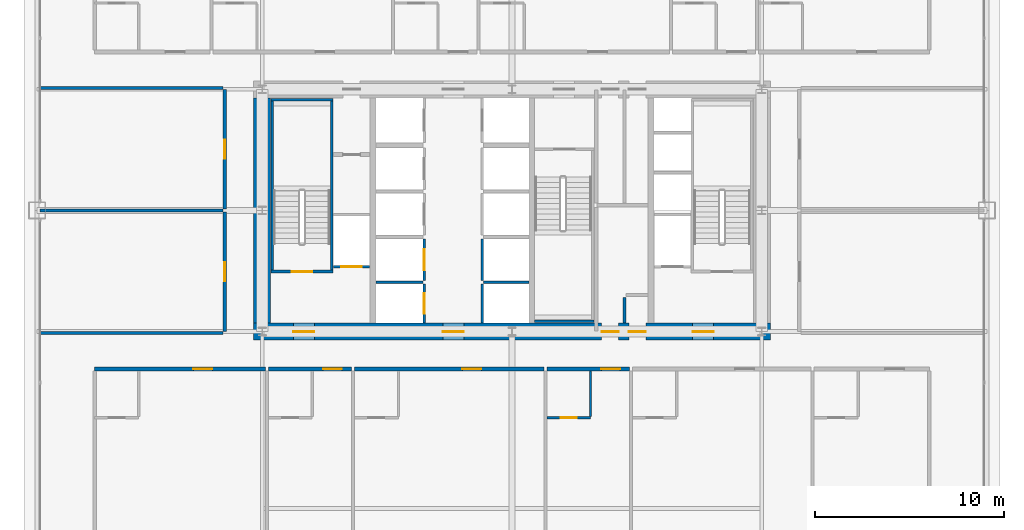
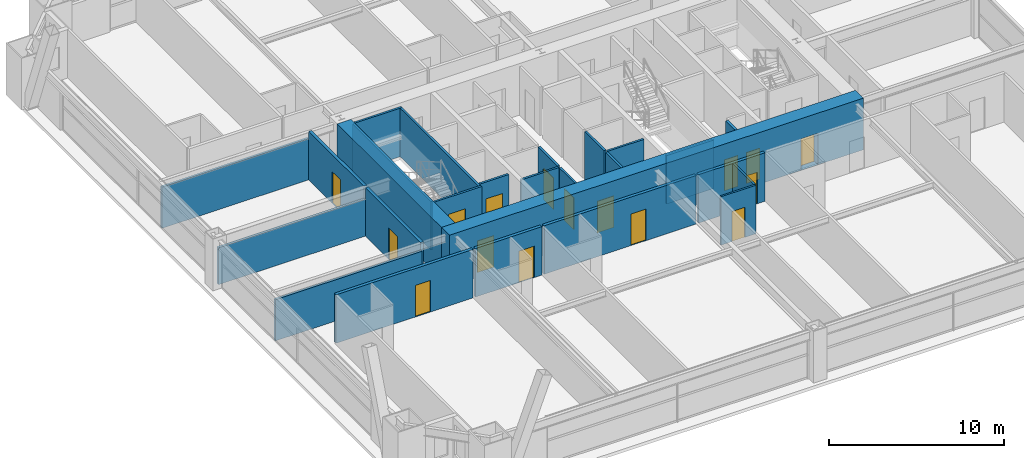
# One storey, part 39 of 43: 26 walls, 16 doors, 16 openings.
"""IFC4 building model written with IfcOpenShell, lengths in metres."""

from ifc_helpers import new_model, si_unit, direction, frame, frame_2d, origin, place, context, subcontext, project, spatial, rectangle, extrude, source, transform, mapped, material, layer, layer_set, type_object, element, fill, save


model = new_model("IFC4")

# Units and contexts
model_context = context("Model", 3, precision=1e-05, world=origin(), true_north=direction((0.0, 1.0)))
body_context = subcontext(model_context, "Body", "Model", "MODEL_VIEW")
ifc_project = project(units=[si_unit("LENGTHUNIT", "METRE"), si_unit("AREAUNIT", "SQUARE_METRE"), si_unit("VOLUMEUNIT", "CUBIC_METRE"), si_unit("PLANEANGLEUNIT", "RADIAN"), si_unit("MASSUNIT", "GRAM", prefix="KILO"), si_unit("THERMODYNAMICTEMPERATUREUNIT", "KELVIN"), si_unit("POWERUNIT", "WATT")], contexts=[model_context])

# Site, building, storey
site_placement = place(None, origin())
site = spatial("IfcSite", under=ifc_project, at=site_placement, CompositionType="ELEMENT")
building_placement = place(site_placement, origin())
building = spatial("IfcBuilding", under=site, at=building_placement, Name="Yuzanri Waterfront Tower", CompositionType="ELEMENT")
storey_placement = place(building_placement, frame((0.0, 0.0, 74.800048828125)))
storey = spatial("IfcBuildingStorey", under=building, at=storey_placement, Name="L19", CompositionType="ELEMENT", Elevation=74.800048828125)

# Wall, opening, door
ifc_material_1 = material(Name="Moisture-Resistant Gypsum Stud Wall", Category="gypsum")
ifc_layer_1 = layer(ifc_material_1, 0.1201171875)
ifc_layer_set_1 = layer_set([ifc_layer_1], Name="Moisture-Resistant Gypsum Stud Wall")
wall_type_1 = type_object("IfcWallType", Name="Bathroom and Kitchen Wet Partition 120", PredefinedType="PARTITIONING", material=ifc_layer_set_1)
wall_1_placement = place(storey_placement, frame((38.844970703125, 14.840087890625, 0.0), z_axis=(0.0, 0.0, 1.0), x_axis=(1.0, 0.0, 0.0)))
wall_1 = element("IfcWall", 1, at=wall_1_placement, inside=storey, type_object=wall_type_1, Name="L19 Partition UW-L19-S4-BS", PredefinedType="PARTITIONING", context=body_context, shape_type="SweptSolid", body=[
    extrude(rectangle(XDim=2.299072265625, YDim=0.1201171875, at=frame_2d((1.1494140625, 0.0))), origin(), (0.0, 0.0, 1.0), 3.3798828125),
])
opening_1_placement = place(wall_1_placement, frame((0.724609375, 0.0, 0.0)))
opening_1 = element("IfcOpeningElement", 2, at=opening_1_placement, cuts=wall_1, Name="Opening ID-0850", PredefinedType="OPENING", context=body_context, shape_type="SweptSolid", body=[
    extrude(rectangle(XDim=0.85009765625, YDim=2.10009765625, at=frame_2d((0.425048828125, 1.050048828125))), frame((0.0, 0.074951171875, 0.0), z_axis=(0.0, -1.0, 0.0), x_axis=(1.0, 0.0, 0.0)), (0.0, 0.0, 1.0), 0.14990234375),
])
ifc_material_2 = material(Name="Moisture-Resistant Lacquered Timber", Category="wood")
door_type_1 = type_object("IfcDoorType", Name="En-Suite Bathroom and Kitchen Swing Door 850x2100", OperationType="NOTDEFINED", PredefinedType="DOOR", material=ifc_material_2)
shared_shape_1 = source(origin(), body_context, "Body", "SweptSolid", [
    extrude(rectangle(XDim=0.85009765625, YDim=2.10009765625, at=frame_2d((0.425048828125, 1.050048828125))), frame((0.0, 0.02490234375, 0.0), z_axis=(0.0, -1.0, 0.0), x_axis=(1.0, 0.0, 0.0)), (0.0, 0.0, 1.0), 0.050048828125),
])
door_1_placement = place(opening_1_placement, origin())
door_1 = element("IfcDoor", 3, at=door_1_placement, inside=storey, type_object=door_type_1, Name="L19 Guest En-Suite Door", OperationType="SINGLE_SWING_LEFT", OverallHeight=2.10009765625, OverallWidth=0.85009765625, PredefinedType="DOOR", context=body_context, shape_type="MappedRepresentation", body=[
    mapped(shared_shape_1, transform((0.0, 0.0, 0.0), scale=1.0)),
])
fill(opening_1, door_1)

# Wall, openings, doors
ifc_material_3 = material(Name="Concrete C60", Category="concrete")
ifc_layer_2 = layer(ifc_material_3, 0.89990234375)
ifc_layer_set_2 = layer_set([ifc_layer_2], Name="Concrete C60")
wall_type_2 = type_object("IfcWallType", Name="Concrete C60 Lower Zone Core Shear Wall 900", PredefinedType="SHEAR", material=ifc_layer_set_2)
wall_2_placement = place(storey_placement, frame((23.35009765625, 19.39990234375, 0.0), z_axis=(0.0, 0.0, 1.0), x_axis=(1.0, 0.0, 0.0)))
wall_2 = element("IfcWall", 4, at=wall_2_placement, inside=storey, type_object=wall_type_2, Name="L19 Core South Shear Wall", PredefinedType="SHEAR", context=body_context, shape_type="SweptSolid", body=[
    extrude(rectangle(XDim=27.2998046875, YDim=0.89990234375, at=frame_2d((13.64990234375, 0.0))), origin(), (0.0, 0.0, 1.0), 3.599853515625),
])
opening_2_placement = place(wall_2_placement, frame((2.10009765625, 0.0, 0.0)))
opening_2 = element("IfcOpeningElement", 5, at=opening_2_placement, cuts=wall_2, Name="Opening FD-1100", PredefinedType="OPENING", context=body_context, shape_type="SweptSolid", body=[
    extrude(rectangle(XDim=1.10009765625, YDim=2.199951171875, at=frame_2d((0.550048828125, 1.10009765625))), frame((0.0, 0.46484375, 0.0), z_axis=(0.0, -1.0, 0.0), x_axis=(1.0, 0.0, 0.0)), (0.0, 0.0, 1.0), 0.9296875),
])
opening_3_placement = place(wall_2_placement, frame((10.0, 0.0, 0.0)))
opening_3 = element("IfcOpeningElement", 6, at=opening_3_placement, cuts=wall_2, Name="Opening FD-1100", PredefinedType="OPENING", context=body_context, shape_type="SweptSolid", body=[
    extrude(rectangle(XDim=1.10009765625, YDim=2.199951171875, at=frame_2d((0.550048828125, 1.10009765625))), frame((0.0, 0.46484375, 0.0), z_axis=(0.0, -1.0, 0.0), x_axis=(1.0, 0.0, 0.0)), (0.0, 0.0, 1.0), 0.9296875),
])
opening_4_placement = place(wall_2_placement, frame((23.199951171875, 0.0, 0.0)))
opening_4 = element("IfcOpeningElement", 7, at=opening_4_placement, cuts=wall_2, Name="Opening FD-1100", PredefinedType="OPENING", context=body_context, shape_type="SweptSolid", body=[
    extrude(rectangle(XDim=1.10009765625, YDim=2.199951171875, at=frame_2d((0.550048828125, 1.10009765625))), frame((0.0, 0.46484375, 0.0), z_axis=(0.0, -1.0, 0.0), x_axis=(1.0, 0.0, 0.0)), (0.0, 0.0, 1.0), 0.9296875),
])
opening_5_placement = place(wall_2_placement, frame((19.820068359375, 0.0, 0.0)))
opening_5 = element("IfcOpeningElement", 8, at=opening_5_placement, cuts=wall_2, Name="Opening FD-0900", PredefinedType="OPENING", context=body_context, shape_type="SweptSolid", body=[
    extrude(rectangle(XDim=0.89990234375, YDim=2.14990234375, at=frame_2d((0.449951171875, 1.074951171875))), frame((0.0, 0.46484375, 0.0), z_axis=(0.0, -1.0, 0.0), x_axis=(1.0, 0.0, 0.0)), (0.0, 0.0, 1.0), 0.9296875),
])
opening_6_placement = place(wall_2_placement, frame((18.3798828125, 0.0, 0.0)))
opening_6 = element("IfcOpeningElement", 9, at=opening_6_placement, cuts=wall_2, Name="Opening FD-0900", PredefinedType="OPENING", context=body_context, shape_type="SweptSolid", body=[
    extrude(rectangle(XDim=0.89990234375, YDim=2.14990234375, at=frame_2d((0.449951171875, 1.074951171875))), frame((0.0, 0.46484375, 0.0), z_axis=(0.0, -1.0, 0.0), x_axis=(1.0, 0.0, 0.0)), (0.0, 0.0, 1.0), 0.9296875),
])
ifc_material_4 = material(Name="Painted Galvanized Fire Steel", Category="steel")
door_type_2 = type_object("IfcDoorType", Name="Smoke-Proof Stair and Lobby Fire Door 1100x2200", OperationType="NOTDEFINED", PredefinedType="DOOR", material=ifc_material_4)
shared_shape_2 = source(origin(), body_context, "Body", "SweptSolid", [
    extrude(rectangle(XDim=1.10009765625, YDim=2.199951171875, at=frame_2d((0.550048828125, 1.10009765625))), frame((0.0, 0.02490234375, 0.0), z_axis=(0.0, -1.0, 0.0), x_axis=(1.0, 0.0, 0.0)), (0.0, 0.0, 1.0), 0.050048828125),
])
door_2_placement = place(opening_2_placement, origin())
door_2 = element("IfcDoor", 10, at=door_2_placement, inside=storey, type_object=door_type_2, Name="L19 West Firefighting Lobby Door", OperationType="SINGLE_SWING_LEFT", OverallHeight=2.199951171875, OverallWidth=1.10009765625, PredefinedType="DOOR", context=body_context, shape_type="MappedRepresentation", body=[
    mapped(shared_shape_2, transform((0.0, 0.0, 0.0), scale=1.0)),
])
fill(opening_2, door_2)
door_3_placement = place(opening_3_placement, origin())
door_3 = element("IfcDoor", 11, at=door_3_placement, inside=storey, type_object=door_type_2, Name="L19 Central Lift Lobby South Door", OperationType="SINGLE_SWING_RIGHT", OverallHeight=2.199951171875, OverallWidth=1.10009765625, PredefinedType="DOOR", context=body_context, shape_type="MappedRepresentation", body=[
    mapped(shared_shape_2, transform((0.0, 0.0, 0.0), scale=1.0)),
])
fill(opening_3, door_3)
door_4_placement = place(opening_4_placement, origin())
door_4 = element("IfcDoor", 12, at=door_4_placement, inside=storey, type_object=door_type_2, Name="L19 East Firefighting Lobby Door", OperationType="SINGLE_SWING_LEFT", OverallHeight=2.199951171875, OverallWidth=1.10009765625, PredefinedType="DOOR", context=body_context, shape_type="MappedRepresentation", body=[
    mapped(shared_shape_2, transform((0.0, 0.0, 0.0), scale=1.0)),
])
fill(opening_4, door_4)
ifc_material_5 = material(Name="Painted Galvanized Fire Steel", Category="steel")
door_type_3 = type_object("IfcDoorType", Name="Riser and Service Room Fire Door 900x2150", OperationType="NOTDEFINED", PredefinedType="DOOR", material=ifc_material_5)
shared_shape_3 = source(origin(), body_context, "Body", "SweptSolid", [
    extrude(rectangle(XDim=0.89990234375, YDim=2.14990234375, at=frame_2d((0.449951171875, 1.074951171875))), frame((0.0, 0.02490234375, 0.0), z_axis=(0.0, -1.0, 0.0), x_axis=(1.0, 0.0, 0.0)), (0.0, 0.0, 1.0), 0.050048828125),
])
door_5_placement = place(opening_5_placement, origin())
door_5 = element("IfcDoor", 13, at=door_5_placement, inside=storey, type_object=door_type_3, Name="L19 East Wet Riser Door", OperationType="SINGLE_SWING_RIGHT", OverallHeight=2.14990234375, OverallWidth=0.89990234375, PredefinedType="DOOR", context=body_context, shape_type="MappedRepresentation", body=[
    mapped(shared_shape_3, transform((0.0, 0.0, 0.0), scale=1.0)),
])
fill(opening_5, door_5)
door_6_placement = place(opening_6_placement, origin())
door_6 = element("IfcDoor", 14, at=door_6_placement, inside=storey, type_object=door_type_3, Name="L19 Housekeeping Room", OperationType="SINGLE_SWING_LEFT", OverallHeight=2.14990234375, OverallWidth=0.89990234375, PredefinedType="DOOR", context=body_context, shape_type="MappedRepresentation", body=[
    mapped(shared_shape_3, transform((0.0, 0.0, 0.0), scale=1.0)),
])
fill(opening_6, door_6)

# Wall, opening, door
ifc_material_6 = material(Name="Concrete C40", Category="concrete")
ifc_layer_3 = layer(ifc_material_6, 0.139892578125)
ifc_layer_set_3 = layer_set([ifc_layer_3], Name="Concrete C40")
wall_type_3 = type_object("IfcWallType", Name="Core Stair Liner and Hoistway Shaft Wall 140", PredefinedType="SOLIDWALL", material=ifc_layer_set_3)
wall_3_placement = place(storey_placement, frame((27.56005859375, 22.830078125, 0.0), z_axis=(0.0, 0.0, 1.0), x_axis=(1.0, 0.0, 0.0)))
wall_3 = element("IfcWall", 15, at=wall_3_placement, inside=storey, type_object=wall_type_3, Name="L19 Lift FL-01 Front Shaft Wall", PredefinedType="SOLIDWALL", context=body_context, shape_type="SweptSolid", body=[
    extrude(rectangle(XDim=1.919921875, YDim=0.139892578125, at=frame_2d((0.9599609375, 0.0))), origin(), (0.0, 0.0, 1.0), 3.3798828125),
])
opening_7_placement = place(wall_3_placement, frame((0.409912109375, 0.0, 0.0)))
opening_7 = element("IfcOpeningElement", 16, at=opening_7_placement, cuts=wall_3, Name="Opening LD-FL-01", PredefinedType="OPENING", context=body_context, shape_type="SweptSolid", body=[
    extrude(rectangle(XDim=1.10009765625, YDim=2.199951171875, at=frame_2d((0.550048828125, 1.10009765625))), frame((0.0, 0.0849609375, 0.0), z_axis=(0.0, -1.0, 0.0), x_axis=(1.0, 0.0, 0.0)), (0.0, 0.0, 1.0), 0.169677734375),
])
ifc_material_7 = material(Name="Brushed Bronze and Stainless Steel Cab", Category="steel")
door_type_4 = type_object("IfcDoorType", Name="Center-Parting Bronze Lift Landing Sliding Door 1100x2200", OperationType="NOTDEFINED", PredefinedType="DOOR", material=ifc_material_7)
shared_shape_4 = source(origin(), body_context, "Body", "SweptSolid", [
    extrude(rectangle(XDim=1.10009765625, YDim=2.199951171875, at=frame_2d((0.550048828125, 1.10009765625))), frame((0.0, 0.02490234375, 0.0), z_axis=(0.0, -1.0, 0.0), x_axis=(1.0, 0.0, 0.0)), (0.0, 0.0, 1.0), 0.050048828125),
])
door_7_placement = place(opening_7_placement, origin())
door_7 = element("IfcDoor", 17, at=door_7_placement, inside=storey, type_object=door_type_4, Name="L19 FL-01 Lift Landing Sliding Door", OperationType="SLIDING_TO_LEFT", OverallHeight=2.199951171875, OverallWidth=1.10009765625, PredefinedType="DOOR", context=body_context, shape_type="MappedRepresentation", body=[
    mapped(shared_shape_4, transform((0.0, 0.0, 0.0), scale=1.0)),
])
fill(opening_7, door_7)

wall_4_placement = place(storey_placement, frame((32.3701171875, 19.860107421875, 0.0), z_axis=(0.0, 0.0, 1.0), x_axis=(0.0, 1.0, 0.0)))
wall_4 = element("IfcWall", 18, at=wall_4_placement, inside=storey, type_object=wall_type_3, Name="L19 Lift PL-01 Front Shaft Wall", PredefinedType="SOLIDWALL", context=body_context, shape_type="SweptSolid", body=[
    extrude(rectangle(XDim=2.039794921875, YDim=0.139892578125, at=frame_2d((1.02001953125, 0.0))), origin(), (0.0, 0.0, 1.0), 3.3798828125),
])
opening_8_placement = place(wall_4_placement, frame((0.469970703125, 0.0, 0.0)))
opening_8 = element("IfcOpeningElement", 19, at=opening_8_placement, cuts=wall_4, Name="Opening LD-PL-01", PredefinedType="OPENING", context=body_context, shape_type="SweptSolid", body=[
    extrude(rectangle(XDim=1.10009765625, YDim=2.199951171875, at=frame_2d((0.550048828125, 1.10009765625))), frame((0.0, 0.0849609375, 0.0), z_axis=(0.0, -1.0, 0.0), x_axis=(1.0, 0.0, 0.0)), (0.0, 0.0, 1.0), 0.169677734375),
])
door_8_placement = place(opening_8_placement, origin())
door_8 = element("IfcDoor", 20, at=door_8_placement, inside=storey, type_object=door_type_4, Name="L19 PL-01 Lift Landing Sliding Door", OperationType="SLIDING_TO_LEFT", OverallHeight=2.199951171875, OverallWidth=1.10009765625, PredefinedType="DOOR", context=body_context, shape_type="MappedRepresentation", body=[
    mapped(shared_shape_4, transform((0.0, 0.0, 0.0), scale=1.0)),
])
fill(opening_8, door_8)

wall_5_placement = place(storey_placement, frame((32.3701171875, 22.10009765625, 0.0), z_axis=(0.0, 0.0, 1.0), x_axis=(0.0, 1.0, 0.0)))
wall_5 = element("IfcWall", 21, at=wall_5_placement, inside=storey, type_object=wall_type_3, Name="L19 Lift PL-02 Front Shaft Wall", PredefinedType="SOLIDWALL", context=body_context, shape_type="SweptSolid", body=[
    extrude(rectangle(XDim=2.199951171875, YDim=0.139892578125, at=frame_2d((1.10009765625, 0.0))), origin(), (0.0, 0.0, 1.0), 3.3798828125),
])
opening_9_placement = place(wall_5_placement, frame((0.550048828125, 0.0, 0.0)))
opening_9 = element("IfcOpeningElement", 22, at=opening_9_placement, cuts=wall_5, Name="Opening LD-PL-02", PredefinedType="OPENING", context=body_context, shape_type="SweptSolid", body=[
    extrude(rectangle(XDim=1.10009765625, YDim=2.199951171875, at=frame_2d((0.550048828125, 1.10009765625))), frame((0.0, 0.0849609375, 0.0), z_axis=(0.0, -1.0, 0.0), x_axis=(1.0, 0.0, 0.0)), (0.0, 0.0, 1.0), 0.169677734375),
])
door_9_placement = place(opening_9_placement, origin())
door_9 = element("IfcDoor", 23, at=door_9_placement, inside=storey, type_object=door_type_4, Name="L19 PL-02 Lift Landing Sliding Door", OperationType="SLIDING_TO_RIGHT", OverallHeight=2.199951171875, OverallWidth=1.10009765625, PredefinedType="DOOR", context=body_context, shape_type="MappedRepresentation", body=[
    mapped(shared_shape_4, transform((0.0, 0.0, 0.0), scale=1.0)),
])
fill(opening_9, door_9)

wall_6_placement = place(storey_placement, frame((24.260009765625, 22.570068359375, 0.0), z_axis=(0.0, 0.0, 1.0), x_axis=(1.0, 0.0, 0.0)))
wall_6 = element("IfcWall", 24, at=wall_6_placement, inside=storey, type_object=wall_type_3, Name="L19 Shaft Wall STW-L19-ST-01-S", PredefinedType="SOLIDWALL", context=body_context, shape_type="SweptSolid", body=[
    extrude(rectangle(XDim=3.280029296875, YDim=0.139892578125, at=frame_2d((1.64013671875, 0.0))), origin(), (0.0, 0.0, 1.0), 3.3798828125),
])
opening_10_placement = place(wall_6_placement, frame((1.090087890625, 0.0, 0.0)))
opening_10 = element("IfcOpeningElement", 25, at=opening_10_placement, cuts=wall_6, Name="Opening FD-1100", PredefinedType="OPENING", context=body_context, shape_type="SweptSolid", body=[
    extrude(rectangle(XDim=1.10009765625, YDim=2.199951171875, at=frame_2d((0.550048828125, 1.10009765625))), frame((0.0, 0.0849609375, 0.0), z_axis=(0.0, -1.0, 0.0), x_axis=(1.0, 0.0, 0.0)), (0.0, 0.0, 1.0), 0.169677734375),
])
door_10_placement = place(opening_10_placement, origin())
door_10 = element("IfcDoor", 26, at=door_10_placement, inside=storey, type_object=door_type_2, Name="L19 Stair ST-01 Fire Door", OperationType="SINGLE_SWING_RIGHT", OverallHeight=2.199951171875, OverallWidth=1.10009765625, PredefinedType="DOOR", context=body_context, shape_type="MappedRepresentation", body=[
    mapped(shared_shape_2, transform((0.0, 0.0, 0.0), scale=1.0)),
])
fill(opening_10, door_10)

ifc_material_8 = material(Name="Autoclaved Aerated Concrete Blockwork", Category="masonry")
ifc_layer_4 = layer(ifc_material_8, 0.199951171875)
ifc_layer_set_4 = layer_set([ifc_layer_4], Name="Autoclaved Aerated Concrete Blockwork")
wall_type_4 = type_object("IfcWallType", Name="Corridor and Unit Party Fire Wall 200", PredefinedType="PARTITIONING", material=ifc_layer_set_4)
wall_7_placement = place(storey_placement, frame((14.93994140625, 17.419921875, 0.0), z_axis=(0.0, 0.0, 1.0), x_axis=(1.0, 0.0, 0.0)))
wall_7 = element("IfcWall", 27, at=wall_7_placement, inside=storey, type_object=wall_type_4, Name="L19 Partition UW-L19-S1-CN", PredefinedType="PARTITIONING", context=body_context, shape_type="SweptSolid", body=[
    extrude(rectangle(XDim=9.0380859375, YDim=0.199951171875, at=frame_2d((4.51904296875, 0.0))), origin(), (0.0, 0.0, 1.0), 3.3798828125),
])
opening_11_placement = place(wall_7_placement, frame((5.22412109375, 0.0, 0.0)))
opening_11 = element("IfcOpeningElement", 28, at=opening_11_placement, cuts=wall_7, Name="Opening FD-1000", PredefinedType="OPENING", context=body_context, shape_type="SweptSolid", body=[
    extrude(rectangle(XDim=1.0, YDim=2.199951171875, at=frame_2d((0.5, 1.10009765625))), frame((0.0, 0.11474609375, 0.0), z_axis=(0.0, -1.0, 0.0), x_axis=(1.0, 0.0, 0.0)), (0.0, 0.0, 1.0), 0.229736328125),
])
ifc_material_9 = material(Name="Engineered Oak Fire-Rated Timber", Category="wood")
door_type_5 = type_object("IfcDoorType", Name="Guestroom and Apartment Entrance Fire Door 1000x2200", OperationType="NOTDEFINED", PredefinedType="DOOR", material=ifc_material_9)
shared_shape_5 = source(origin(), body_context, "Body", "SweptSolid", [
    extrude(rectangle(XDim=1.0, YDim=2.199951171875, at=frame_2d((0.5, 1.10009765625))), frame((0.0, 0.02490234375, 0.0), z_axis=(0.0, -1.0, 0.0), x_axis=(1.0, 0.0, 0.0)), (0.0, 0.0, 1.0), 0.050048828125),
])
door_11_placement = place(opening_11_placement, origin())
door_11 = element("IfcDoor", 29, at=door_11_placement, inside=storey, type_object=door_type_5, Name="L19 Junior Riverview Suite Entrance Door", OperationType="SINGLE_SWING_RIGHT", OverallHeight=2.199951171875, OverallWidth=1.0, PredefinedType="DOOR", context=body_context, shape_type="MappedRepresentation", body=[
    mapped(shared_shape_5, transform((0.0, 0.0, 0.0), scale=1.0)),
])
fill(opening_11, door_11)

wall_8_placement = place(storey_placement, frame((24.137939453125, 17.419921875, 0.0), z_axis=(0.0, 0.0, 1.0), x_axis=(1.0, 0.0, 0.0)))
wall_8 = element("IfcWall", 30, at=wall_8_placement, inside=storey, type_object=wall_type_4, Name="L19 Partition UW-L19-S2-CN", PredefinedType="PARTITIONING", context=body_context, shape_type="SweptSolid", body=[
    extrude(rectangle(XDim=4.3701171875, YDim=0.199951171875, at=frame_2d((2.18505859375, 0.0))), origin(), (0.0, 0.0, 1.0), 3.3798828125),
])
opening_12_placement = place(wall_8_placement, frame((2.875, 0.0, 0.0)))
opening_12 = element("IfcOpeningElement", 31, at=opening_12_placement, cuts=wall_8, Name="Opening FD-1000", PredefinedType="OPENING", context=body_context, shape_type="SweptSolid", body=[
    extrude(rectangle(XDim=1.0, YDim=2.199951171875, at=frame_2d((0.5, 1.10009765625))), frame((0.0, 0.11474609375, 0.0), z_axis=(0.0, -1.0, 0.0), x_axis=(1.0, 0.0, 0.0)), (0.0, 0.0, 1.0), 0.229736328125),
])
door_12_placement = place(opening_12_placement, origin())
door_12 = element("IfcDoor", 32, at=door_12_placement, inside=storey, type_object=door_type_5, Name="L19 Junior Riverview Suite Entrance Door", OperationType="SINGLE_SWING_RIGHT", OverallHeight=2.199951171875, OverallWidth=1.0, PredefinedType="DOOR", context=body_context, shape_type="MappedRepresentation", body=[
    mapped(shared_shape_5, transform((0.0, 0.0, 0.0), scale=1.0)),
])
fill(opening_12, door_12)

wall_9_placement = place(storey_placement, frame((28.66796875, 17.419921875, 0.0), z_axis=(0.0, 0.0, 1.0), x_axis=(1.0, 0.0, 0.0)))
wall_9 = element("IfcWall", 33, at=wall_9_placement, inside=storey, type_object=wall_type_4, Name="L19 Partition UW-L19-S3-CN", PredefinedType="PARTITIONING", context=body_context, shape_type="SweptSolid", body=[
    extrude(rectangle(XDim=10.01708984375, YDim=0.199951171875, at=frame_2d((5.008544921875, 0.0))), origin(), (0.0, 0.0, 1.0), 3.3798828125),
])
opening_13_placement = place(wall_9_placement, frame((5.714111328125, 0.0, 0.0)))
opening_13 = element("IfcOpeningElement", 34, at=opening_13_placement, cuts=wall_9, Name="Opening FD-1000", PredefinedType="OPENING", context=body_context, shape_type="SweptSolid", body=[
    extrude(rectangle(XDim=1.0, YDim=2.199951171875, at=frame_2d((0.5, 1.10009765625))), frame((0.0, 0.11474609375, 0.0), z_axis=(0.0, -1.0, 0.0), x_axis=(1.0, 0.0, 0.0)), (0.0, 0.0, 1.0), 0.229736328125),
])
door_13_placement = place(opening_13_placement, origin())
door_13 = element("IfcDoor", 35, at=door_13_placement, inside=storey, type_object=door_type_5, Name="L19 Junior Riverview Suite Entrance Door", OperationType="SINGLE_SWING_RIGHT", OverallHeight=2.199951171875, OverallWidth=1.0, PredefinedType="DOOR", context=body_context, shape_type="MappedRepresentation", body=[
    mapped(shared_shape_5, transform((0.0, 0.0, 0.0), scale=1.0)),
])
fill(opening_13, door_13)

wall_10_placement = place(storey_placement, frame((38.844970703125, 17.419921875, 0.0), z_axis=(0.0, 0.0, 1.0), x_axis=(1.0, 0.0, 0.0)))
wall_10 = element("IfcWall", 36, at=wall_10_placement, inside=storey, type_object=wall_type_4, Name="L19 Partition UW-L19-S4-CN", PredefinedType="PARTITIONING", context=body_context, shape_type="SweptSolid", body=[
    extrude(rectangle(XDim=4.369140625, YDim=0.199951171875, at=frame_2d((2.1845703125, 0.0))), origin(), (0.0, 0.0, 1.0), 3.3798828125),
])
opening_14_placement = place(wall_10_placement, frame((2.8740234375, 0.0, 0.0)))
opening_14 = element("IfcOpeningElement", 37, at=opening_14_placement, cuts=wall_10, Name="Opening FD-1000", PredefinedType="OPENING", context=body_context, shape_type="SweptSolid", body=[
    extrude(rectangle(XDim=1.0, YDim=2.199951171875, at=frame_2d((0.5, 1.10009765625))), frame((0.0, 0.11474609375, 0.0), z_axis=(0.0, -1.0, 0.0), x_axis=(1.0, 0.0, 0.0)), (0.0, 0.0, 1.0), 0.229736328125),
])
door_14_placement = place(opening_14_placement, origin())
door_14 = element("IfcDoor", 38, at=door_14_placement, inside=storey, type_object=door_type_5, Name="L19 Junior Riverview Suite Entrance Door", OperationType="SINGLE_SWING_RIGHT", OverallHeight=2.199951171875, OverallWidth=1.0, PredefinedType="DOOR", context=body_context, shape_type="MappedRepresentation", body=[
    mapped(shared_shape_5, transform((0.0, 0.0, 0.0), scale=1.0)),
])
fill(opening_14, door_14)

wall_11_placement = place(storey_placement, frame((21.820068359375, 19.409912109375, 0.0), z_axis=(0.0, 0.0, 1.0), x_axis=(0.0, 1.0, 0.0)))
wall_11 = element("IfcWall", 39, at=wall_11_placement, inside=storey, type_object=wall_type_4, Name="L19 Partition UW-L19-W1-CW", PredefinedType="PARTITIONING", context=body_context, shape_type="SweptSolid", body=[
    extrude(rectangle(XDim=6.31005859375, YDim=0.199951171875, at=frame_2d((3.155029296875, 0.0))), origin(), (0.0, 0.0, 1.0), 3.3798828125),
])
opening_15_placement = place(wall_11_placement, frame((2.655029296875, 0.0, 0.0)))
opening_15 = element("IfcOpeningElement", 40, at=opening_15_placement, cuts=wall_11, Name="Opening FD-1000", PredefinedType="OPENING", context=body_context, shape_type="SweptSolid", body=[
    extrude(rectangle(XDim=1.0, YDim=2.199951171875, at=frame_2d((0.5, 1.10009765625))), frame((0.0, 0.11474609375, 0.0), z_axis=(0.0, -1.0, 0.0), x_axis=(1.0, 0.0, 0.0)), (0.0, 0.0, 1.0), 0.229736328125),
])
door_15_placement = place(opening_15_placement, origin())
door_15 = element("IfcDoor", 41, at=door_15_placement, inside=storey, type_object=door_type_5, Name="L19 Tea Ceremony Restaurant Entrance Door", OperationType="SINGLE_SWING_RIGHT", OverallHeight=2.199951171875, OverallWidth=1.0, PredefinedType="DOOR", context=body_context, shape_type="MappedRepresentation", body=[
    mapped(shared_shape_5, transform((0.0, 0.0, 0.0), scale=1.0)),
])
fill(opening_15, door_15)

wall_12_placement = place(storey_placement, frame((21.820068359375, 25.8798828125, 0.0), z_axis=(0.0, 0.0, 1.0), x_axis=(0.0, 1.0, 0.0)))
wall_12 = element("IfcWall", 42, at=wall_12_placement, inside=storey, type_object=wall_type_4, Name="L19 Partition UW-L19-W2-CW", PredefinedType="PARTITIONING", context=body_context, shape_type="SweptSolid", body=[
    extrude(rectangle(XDim=6.31005859375, YDim=0.199951171875, at=frame_2d((3.155029296875, 0.0))), origin(), (0.0, 0.0, 1.0), 3.3798828125),
])
opening_16_placement = place(wall_12_placement, frame((2.655029296875, 0.0, 0.0)))
opening_16 = element("IfcOpeningElement", 43, at=opening_16_placement, cuts=wall_12, Name="Opening FD-1000", PredefinedType="OPENING", context=body_context, shape_type="SweptSolid", body=[
    extrude(rectangle(XDim=1.0, YDim=2.199951171875, at=frame_2d((0.5, 1.10009765625))), frame((0.0, 0.11474609375, 0.0), z_axis=(0.0, -1.0, 0.0), x_axis=(1.0, 0.0, 0.0)), (0.0, 0.0, 1.0), 0.229736328125),
])
door_16_placement = place(opening_16_placement, origin())
door_16 = element("IfcDoor", 44, at=door_16_placement, inside=storey, type_object=door_type_5, Name="L19 Specialty Dining Restaurant Entrance Door", OperationType="SINGLE_SWING_LEFT", OverallHeight=2.199951171875, OverallWidth=1.0, PredefinedType="DOOR", context=body_context, shape_type="MappedRepresentation", body=[
    mapped(shared_shape_5, transform((0.0, 0.0, 0.0), scale=1.0)),
])
fill(opening_16, door_16)

# Walls
shared_shape_6 = source(origin(), body_context, "Body", "SweptSolid", [
    extrude(rectangle(XDim=11.89990234375, YDim=0.89990234375, at=frame_2d((5.949951171875, 0.0))), origin(), (0.0, 0.0, 1.0), 3.599853515625),
])
wall_13_placement = place(storey_placement, frame((23.800048828125, 19.85009765625, 0.0), z_axis=(0.0, 0.0, 1.0), x_axis=(0.0, 1.0, 0.0)))
element("IfcWall", 45, at=wall_13_placement, inside=storey, type_object=wall_type_2, Name="L19 Core West Shear Wall", PredefinedType="SHEAR", context=body_context, shape_type="MappedRepresentation", body=[
    mapped(shared_shape_6, transform((0.0, 0.0, 0.0), scale=1.0)),
])
shared_shape_7 = source(origin(), body_context, "Body", "SweptSolid", [
    extrude(rectangle(XDim=2.5, YDim=0.139892578125, at=frame_2d((1.25, 0.0))), origin(), (0.0, 0.0, 1.0), 3.3798828125),
])
wall_14_placement = place(storey_placement, frame((29.800048828125, 22.0, 0.0), z_axis=(0.0, 0.0, 1.0), x_axis=(1.0, 0.0, 0.0)))
element("IfcWall", 46, at=wall_14_placement, inside=storey, type_object=wall_type_3, Name="L19 Lift PL-01 Divider Wall", PredefinedType="SOLIDWALL", context=body_context, shape_type="MappedRepresentation", body=[
    mapped(shared_shape_7, transform((0.0, 0.0, 0.0), scale=1.0)),
])
shared_shape_8 = source(origin(), body_context, "Body", "SweptSolid", [
    extrude(rectangle(XDim=2.039794921875, YDim=0.139892578125, at=frame_2d((1.02001953125, 0.0))), origin(), (0.0, 0.0, 1.0), 3.3798828125),
])
wall_15_placement = place(storey_placement, frame((35.429931640625, 19.860107421875, 0.0), z_axis=(0.0, 0.0, 1.0), x_axis=(0.0, 1.0, 0.0)))
element("IfcWall", 47, at=wall_15_placement, inside=storey, type_object=wall_type_3, Name="L19 Lift PL-05 Front Shaft Wall", PredefinedType="SOLIDWALL", context=body_context, shape_type="MappedRepresentation", body=[
    mapped(shared_shape_8, transform((0.0, 0.0, 0.0), scale=1.0)),
])
shared_shape_9 = source(origin(), body_context, "Body", "SweptSolid", [
    extrude(rectangle(XDim=2.39990234375, YDim=0.139892578125, at=frame_2d((1.199951171875, 0.0))), origin(), (0.0, 0.0, 1.0), 3.3798828125),
])
wall_16_placement = place(storey_placement, frame((35.5, 22.0, 0.0), z_axis=(0.0, 0.0, 1.0), x_axis=(1.0, 0.0, 0.0)))
element("IfcWall", 48, at=wall_16_placement, inside=storey, type_object=wall_type_3, Name="L19 Lift PL-05 Divider Wall", PredefinedType="SOLIDWALL", context=body_context, shape_type="MappedRepresentation", body=[
    mapped(shared_shape_9, transform((0.0, 0.0, 0.0), scale=1.0)),
])
shared_shape_10 = source(origin(), body_context, "Body", "SweptSolid", [
    extrude(rectangle(XDim=2.199951171875, YDim=0.139892578125, at=frame_2d((1.10009765625, 0.0))), origin(), (0.0, 0.0, 1.0), 3.3798828125),
])
wall_17_placement = place(storey_placement, frame((35.429931640625, 22.10009765625, 0.0), z_axis=(0.0, 0.0, 1.0), x_axis=(0.0, 1.0, 0.0)))
element("IfcWall", 49, at=wall_17_placement, inside=storey, type_object=wall_type_3, Name="L19 Lift PL-06 Front Shaft Wall", PredefinedType="SOLIDWALL", context=body_context, shape_type="MappedRepresentation", body=[
    mapped(shared_shape_10, transform((0.0, 0.0, 0.0), scale=1.0)),
])
shared_shape_11 = source(origin(), body_context, "Body", "SweptSolid", [
    extrude(rectangle(XDim=3.280029296875, YDim=0.139892578125, at=frame_2d((1.64013671875, 0.0))), origin(), (0.0, 0.0, 1.0), 3.3798828125),
])
wall_18_placement = place(storey_placement, frame((24.260009765625, 31.64990234375, 0.0), z_axis=(0.0, 0.0, 1.0), x_axis=(1.0, 0.0, 0.0)))
element("IfcWall", 50, at=wall_18_placement, inside=storey, type_object=wall_type_3, Name="L19 Stair ST-01 North Shaft Wall", PredefinedType="SOLIDWALL", context=body_context, shape_type="MappedRepresentation", body=[
    mapped(shared_shape_11, transform((0.0, 0.0, 0.0), scale=1.0)),
])
shared_shape_12 = source(origin(), body_context, "Body", "SweptSolid", [
    extrude(rectangle(XDim=8.940185546875, YDim=0.139892578125, at=frame_2d((4.47021484375, 0.0))), origin(), (0.0, 0.0, 1.0), 3.3798828125),
])
for number, where, z_axis, x_axis, name in (
    (51, (24.330078125, 22.639892578125, 0.0), (0.0, 0.0, 1.0), (0.0, 1.0, 0.0), "L19 Stair ST-01 West Shaft Wall"),
    (52, (27.469970703125, 22.639892578125, 0.0), (0.0, 0.0, 1.0), (0.0, 1.0, 0.0), "L19 Stair ST-01 East Shaft Wall"),
):
    element("IfcWall", number, at=place(storey_placement, frame(where, z_axis=z_axis, x_axis=x_axis)), inside=storey, type_object=wall_type_3, Name=name, PredefinedType="SOLIDWALL", context=body_context, shape_type="MappedRepresentation", body=[
        mapped(shared_shape_12, transform((0.0, 0.0, 0.0), scale=1.0)),
    ])
shared_shape_13 = source(origin(), body_context, "Body", "SweptSolid", [
    extrude(rectangle(XDim=3.14013671875, YDim=0.139892578125, at=frame_2d((1.570068359375, 0.0))), origin(), (0.0, 0.0, 1.0), 3.3798828125),
])
wall_19_placement = place(storey_placement, frame((38.199951171875, 19.949951171875, 0.0), z_axis=(0.0, 0.0, 1.0), x_axis=(1.0, 0.0, 0.0)))
element("IfcWall", 53, at=wall_19_placement, inside=storey, type_object=wall_type_3, Name="L19 Stair ST-03 South Shaft Wall", PredefinedType="SOLIDWALL", context=body_context, shape_type="MappedRepresentation", body=[
    mapped(shared_shape_13, transform((0.0, 0.0, 0.0), scale=1.0)),
])
ifc_material_10 = material(Name="Gypsum Fireboard Acoustic Stud Wall", Category="gypsum")
ifc_layer_5 = layer(ifc_material_10, 0.159912109375)
ifc_layer_set_5 = layer_set([ifc_layer_5], Name="Gypsum Fireboard Acoustic Stud Wall")
wall_type_5 = type_object("IfcWallType", Name="Acoustic Suite Demising Partition 160", PredefinedType="PARTITIONING", material=ifc_layer_set_5)
shared_shape_14 = source(origin(), body_context, "Body", "SweptSolid", [
    extrude(rectangle(XDim=1.33984375, YDim=0.159912109375, at=frame_2d((0.669921875, 0.0))), origin(), (0.0, 0.0, 1.0), 3.3798828125),
])
wall_20_placement = place(storey_placement, frame((42.949951171875, 19.860107421875, 0.0), z_axis=(0.0, 0.0, 1.0), x_axis=(0.0, 1.0, 0.0)))
element("IfcWall", 54, at=wall_20_placement, inside=storey, type_object=wall_type_5, Name="L19 East Wet Riser West Wall", PredefinedType="PARTITIONING", context=body_context, shape_type="MappedRepresentation", body=[
    mapped(shared_shape_14, transform((0.0, 0.0, 0.0), scale=1.0)),
])
shared_shape_15 = source(origin(), body_context, "Body", "SweptSolid", [
    extrude(rectangle(XDim=2.420166015625, YDim=0.1201171875, at=frame_2d((1.2099609375, 0.0))), origin(), (0.0, 0.0, 1.0), 3.3798828125),
])
wall_21_placement = place(storey_placement, frame((41.14404296875, 14.89990234375, 0.0), z_axis=(0.0, 0.0, 1.0), x_axis=(0.0, 1.0, 0.0)))
element("IfcWall", 55, at=wall_21_placement, inside=storey, type_object=wall_type_1, Name="L19-S4 En-Suite Side Wall", PredefinedType="PARTITIONING", context=body_context, shape_type="MappedRepresentation", body=[
    mapped(shared_shape_15, transform((0.0, 0.0, 0.0), scale=1.0)),
])
shared_shape_16 = source(origin(), body_context, "Body", "SweptSolid", [
    extrude(rectangle(XDim=9.669921875, YDim=0.159912109375, at=frame_2d((4.8349609375, 0.0))), origin(), (0.0, 0.0, 1.0), 2.574951171875),
])
wall_22_placement = place(storey_placement, frame((12.050048828125, 25.800048828125, 0.0), z_axis=(0.0, 0.0, 1.0), x_axis=(1.0, 0.0, 0.0)))
element("IfcWall", 56, at=wall_22_placement, inside=storey, type_object=wall_type_5, Name="L19-W1 Wing Party Wall", PredefinedType="PARTITIONING", context=body_context, shape_type="MappedRepresentation", body=[
    mapped(shared_shape_16, transform((0.0, 0.0, 0.0), scale=1.0)),
])
shared_shape_17 = source(origin(), body_context, "Body", "SweptSolid", [
    extrude(rectangle(XDim=9.669921875, YDim=0.159912109375, at=frame_2d((4.8349609375, 0.0))), origin(), (0.0, 0.0, 1.0), 2.875),
])
for number, where, z_axis, x_axis, name in (
    (57, (12.050048828125, 19.330078125, 0.0), (0.0, 0.0, 1.0), (1.0, 0.0, 0.0), "L19-W1 Wing South End Wall"),
    (58, (12.050048828125, 32.27001953125, 0.0), (0.0, 0.0, 1.0), (1.0, 0.0, 0.0), "L19-W2 Wing North End Wall"),
):
    element("IfcWall", number, at=place(storey_placement, frame(where, z_axis=z_axis, x_axis=x_axis)), inside=storey, type_object=wall_type_5, Name=name, PredefinedType="PARTITIONING", context=body_context, shape_type="MappedRepresentation", body=[
        mapped(shared_shape_17, transform((0.0, 0.0, 0.0), scale=1.0)),
    ])

save(model, "model.ifc")
